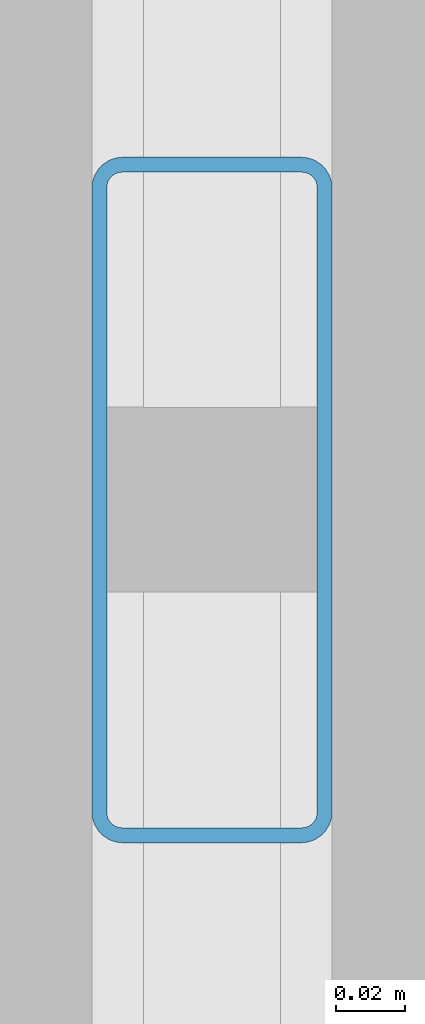
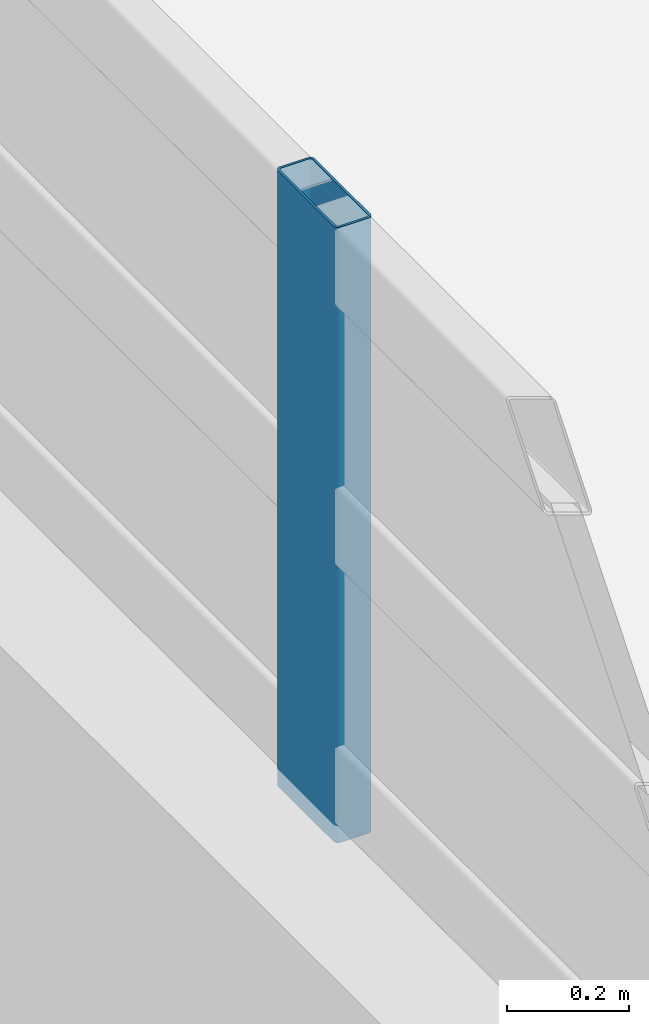
# One storey, part 122 of 197: 1 member, 1 element without a shape of its own.
"""IFC4 building model written with IfcOpenShell, lengths in metres."""

from ifc_helpers import new_model, si_unit, derived_unit, direction, frame, origin, origin_2d, place, context, subcontext, project, spatial, hollow_rectangle, extrude, material, layer, layer_set, material_profile, profile_set, type_object, element, aggregate, save


model = new_model("IFC4")

# Units and contexts
model_context = context("Model", 3, precision=1e-05, world=origin(), true_north=direction((0.0, 1.0)))
body_context = subcontext(model_context, "Body", "Model", "MODEL_VIEW")
ifc_project = project(units=[si_unit("LENGTHUNIT", "METRE"), si_unit("AREAUNIT", "SQUARE_METRE"), si_unit("VOLUMEUNIT", "CUBIC_METRE"), si_unit("PLANEANGLEUNIT", "RADIAN"), si_unit("MASSUNIT", "GRAM", prefix="KILO"), derived_unit("THERMALTRANSMITTANCEUNIT", [(si_unit("POWERUNIT", "WATT"), 1), (si_unit("LENGTHUNIT", "METRE"), -2), (si_unit("THERMODYNAMICTEMPERATUREUNIT", "KELVIN"), -1)])], contexts=[model_context])

# Site, building, storey
site_placement = place(None, origin())
site = spatial("IfcSite", under=ifc_project, at=site_placement, CompositionType="ELEMENT")
building_placement = place(site_placement, origin())
building = spatial("IfcBuilding", under=site, at=building_placement, Name="Almenara Railside Exhibition Hall", CompositionType="ELEMENT")
storey_placement = place(building_placement, frame((0.0, 0.0, 5.39990234375)))
storey = spatial("IfcBuildingStorey", under=building, at=storey_placement, Name="L01", CompositionType="ELEMENT", Elevation=5.39990234375)

# Curtain wall, member
ifc_material_1 = material(Name="Bronze-anodised aluminium and low-E double glazing", Category="aluminium")
ifc_layer = layer(ifc_material_1, 0.179931640625, Name="Bronze-anodised aluminium and low-E double glazing")
ifc_layer_set = layer_set([ifc_layer], Name="Bronze-anodised aluminium and low-E double glazing")
curtain_wall_type = type_object("IfcCurtainWallType", Name="East Hall Clerestory Curtain Wall 4000x2100", PredefinedType="NOTDEFINED", material=ifc_layer_set)
curtain_wall_placement = place(storey_placement, origin())
curtain_wall = element("IfcCurtainWall", 1, at=curtain_wall_placement, inside=storey, type_object=curtain_wall_type, Name="Curtain wall CW-CL4-063", PredefinedType="NOTDEFINED")
ifc_material_2 = material(Name="Bronze-anodised aluminium", Category="aluminium")
ifc_material_profile = material_profile(ifc_material_2, hollow_rectangle(XDim=0.070068359375, YDim=0.199951171875, WallThickness=0.00439453125, InnerFilletRadius=0.00439453125, OuterFilletRadius=0.009033203125, at=origin_2d()), Name="ALU-MUL 70x200x4.5")
ifc_profile_set = profile_set([ifc_material_profile], Name="Bronze-anodised aluminium")
member_type = type_object("IfcMemberType", Name="Curtain Wall Mullion 70x200x4.5", PredefinedType="MULLION", material=ifc_profile_set)
member_placement = place(storey_placement, frame((138.0, 80.466552734375, 5.4150390625), z_axis=(0.0, 0.0, 1.0), x_axis=(-1.0, 0.0, 0.0)))
member = element("IfcMember", 2, at=member_placement, type_object=member_type, Name="CW-CL4-063 mullion 3", PredefinedType="MULLION", context=body_context, shape_type="SweptSolid", body=[
    extrude(hollow_rectangle(XDim=0.070068359375, YDim=0.199951171875, WallThickness=0.00439453125, InnerFilletRadius=0.00439453125, OuterFilletRadius=0.009033203125, at=origin_2d()), origin(), (0.0, 0.0, 1.0), 1.235107421875),
])
aggregate(curtain_wall, [member])

save(model, "model.ifc")
